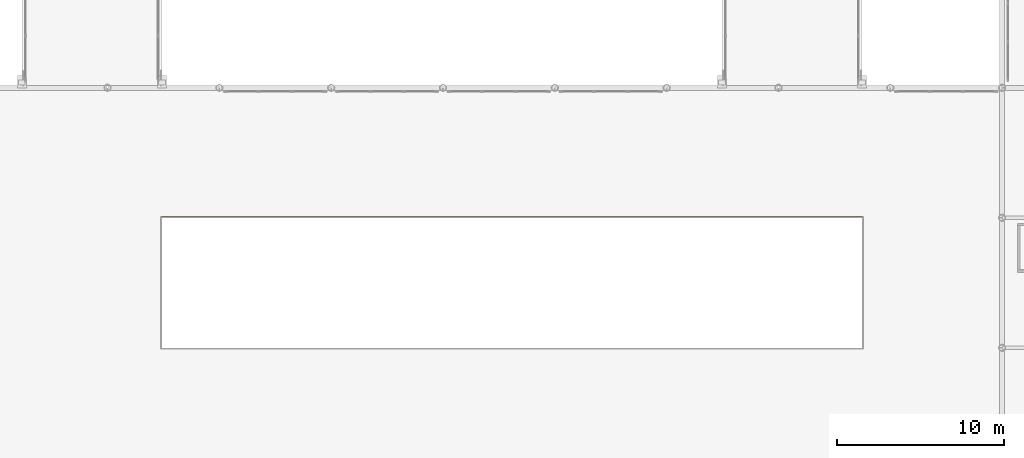
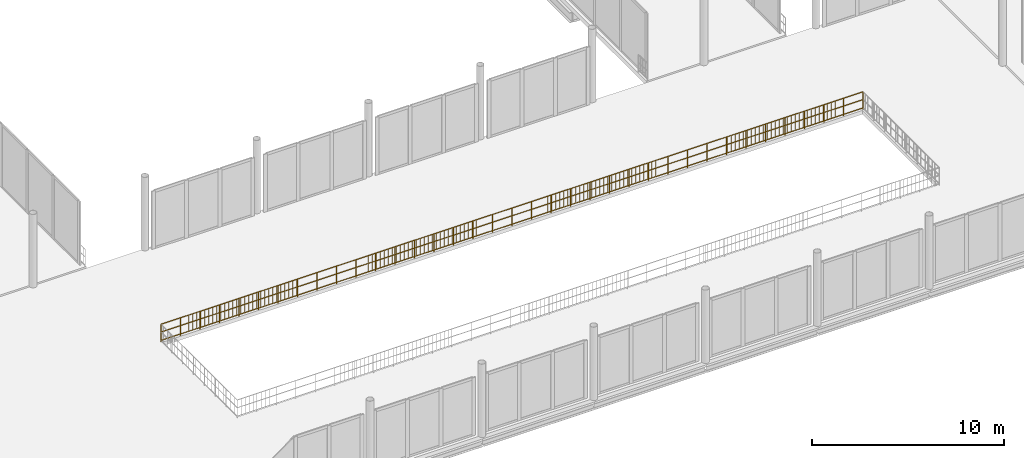
# One storey, part 89 of 98: 1 railing.
"""IFC4 building model written with IfcOpenShell, lengths in metres."""

from ifc_helpers import new_model, si_unit, direction, frame, origin, origin_2d, place, context, subcontext, project, spatial, circle, extrude, material, layer, layer_set, type_object, element, save


model = new_model("IFC4")

# Units and contexts
model_context = context("Model", 3, precision=1e-05, world=origin(), true_north=direction((0.0, 1.0)))
body_context = subcontext(model_context, "Body", "Model", "MODEL_VIEW")
ifc_project = project(units=[si_unit("LENGTHUNIT", "METRE"), si_unit("AREAUNIT", "SQUARE_METRE"), si_unit("VOLUMEUNIT", "CUBIC_METRE"), si_unit("PLANEANGLEUNIT", "RADIAN"), si_unit("MASSUNIT", "GRAM", prefix="KILO")], contexts=[model_context])

# Site, building, storey
site_placement = place(None, origin())
site = spatial("IfcSite", under=ifc_project, at=site_placement, CompositionType="ELEMENT")
building_placement = place(site_placement, origin())
building = spatial("IfcBuilding", under=site, at=building_placement, Name="Nabrawat Pavilion Hospital", CompositionType="ELEMENT")
storey_placement = place(building_placement, frame((0.0, 0.0, 10.199951171875)))
storey = spatial("IfcBuildingStorey", under=building, at=storey_placement, Name="L02", CompositionType="ELEMENT", Elevation=10.199951171875)

# Railing
ifc_material = material(Name="Laminated Toughened Glass and Stainless Steel", Category="steel")
ifc_layer = layer(ifc_material, 0.080078125, Name="Laminated Toughened Glass and Stainless Steel")
ifc_layer_set = layer_set([ifc_layer], Name="Laminated Toughened Glass and Stainless Steel")
railing_type = type_object("IfcRailingType", Name="Main Hall Atrium Void Glass Balustrade 1150", PredefinedType="BALUSTRADE", material=ifc_layer_set)
railing_placement = place(storey_placement, frame((75.5400390625, 31.260009765625, 0.0)))
element("IfcRailing", 1, at=railing_placement, inside=storey, type_object=railing_type, Name="L02 Main Hall Atrium Gallery Balustrade North", PredefinedType="BALUSTRADE", context=body_context, shape_type="SweptSolid", body=[
    extrude(circle(Radius=0.02392578125, at=origin_2d()), frame((0.0, 0.0, 1.1259765625), z_axis=(1.0, 0.0, 0.0), x_axis=(0.0, 1.0, 0.0)), (0.0, 0.0, 1.0), 42.119873046875),
    extrude(circle(Radius=0.02392578125, at=origin_2d()), frame((0.0, 0.0, 0.10009765625), z_axis=(1.0, 0.0, 0.0), x_axis=(0.0, 1.0, 0.0)), (0.0, 0.0, 1.0), 42.119873046875),
    extrude(circle(Radius=0.02392578125, at=origin_2d()), frame((0.0, 0.0, 0.63232421875), z_axis=(1.0, 0.0, 0.0), x_axis=(0.0, 1.0, 0.0)), (0.0, 0.0, 1.0), 42.119873046875),
    extrude(circle(Radius=0.008056640625, at=origin_2d()), frame((0.2392578125, 0.0, 0.10009765625)), (0.0, 0.0, 1.0), 1.001708984375),
    extrude(circle(Radius=0.008056640625, at=origin_2d()), frame((0.478515625, 0.0, 0.10009765625)), (0.0, 0.0, 1.0), 1.001708984375),
    extrude(circle(Radius=0.008056640625, at=origin_2d()), frame((0.718017578125, 0.0, 0.10009765625)), (0.0, 0.0, 1.0), 1.001708984375),
    extrude(circle(Radius=0.008056640625, at=origin_2d()), frame((0.957275390625, 0.0, 0.10009765625)), (0.0, 0.0, 1.0), 1.001708984375),
    extrude(circle(Radius=0.008056640625, at=origin_2d()), frame((1.435791015625, 0.0, 0.10009765625)), (0.0, 0.0, 1.0), 1.001708984375),
    extrude(circle(Radius=0.008056640625, at=origin_2d()), frame((1.67529296875, 0.0, 0.10009765625)), (0.0, 0.0, 1.0), 1.001708984375),
    extrude(circle(Radius=0.008056640625, at=origin_2d()), frame((1.91455078125, 0.0, 0.10009765625)), (0.0, 0.0, 1.0), 1.001708984375),
    extrude(circle(Radius=0.008056640625, at=origin_2d()), frame((2.15380859375, 0.0, 0.10009765625)), (0.0, 0.0, 1.0), 1.001708984375),
    extrude(circle(Radius=0.008056640625, at=origin_2d()), frame((2.39306640625, 0.0, 0.10009765625)), (0.0, 0.0, 1.0), 1.001708984375),
    extrude(circle(Radius=0.008056640625, at=origin_2d()), frame((2.632568359375, 0.0, 0.10009765625)), (0.0, 0.0, 1.0), 1.001708984375),
    extrude(circle(Radius=0.008056640625, at=origin_2d()), frame((2.871826171875, 0.0, 0.10009765625)), (0.0, 0.0, 1.0), 1.001708984375),
    extrude(circle(Radius=0.008056640625, at=origin_2d()), frame((3.111083984375, 0.0, 0.10009765625)), (0.0, 0.0, 1.0), 1.001708984375),
    extrude(circle(Radius=0.008056640625, at=origin_2d()), frame((3.350341796875, 0.0, 0.10009765625)), (0.0, 0.0, 1.0), 1.001708984375),
    extrude(circle(Radius=0.008056640625, at=origin_2d()), frame((3.58984375, 0.0, 0.10009765625)), (0.0, 0.0, 1.0), 1.001708984375),
    extrude(circle(Radius=0.008056640625, at=origin_2d()), frame((3.8291015625, 0.0, 0.10009765625)), (0.0, 0.0, 1.0), 1.001708984375),
    extrude(circle(Radius=0.008056640625, at=origin_2d()), frame((4.068359375, 0.0, 0.10009765625)), (0.0, 0.0, 1.0), 1.001708984375),
    extrude(circle(Radius=0.008056640625, at=origin_2d()), frame((4.3076171875, 0.0, 0.10009765625)), (0.0, 0.0, 1.0), 1.001708984375),
    extrude(circle(Radius=0.008056640625, at=origin_2d()), frame((4.547119140625, 0.0, 0.10009765625)), (0.0, 0.0, 1.0), 1.001708984375),
    extrude(circle(Radius=0.008056640625, at=origin_2d()), frame((4.786376953125, 0.0, 0.10009765625)), (0.0, 0.0, 1.0), 1.001708984375),
    extrude(circle(Radius=0.008056640625, at=origin_2d()), frame((5.025634765625, 0.0, 0.10009765625)), (0.0, 0.0, 1.0), 1.001708984375),
    extrude(circle(Radius=0.008056640625, at=origin_2d()), frame((5.264892578125, 0.0, 0.10009765625)), (0.0, 0.0, 1.0), 1.001708984375),
    extrude(circle(Radius=0.008056640625, at=origin_2d()), frame((5.50439453125, 0.0, 0.10009765625)), (0.0, 0.0, 1.0), 1.001708984375),
    extrude(circle(Radius=0.008056640625, at=origin_2d()), frame((5.74365234375, 0.0, 0.10009765625)), (0.0, 0.0, 1.0), 1.001708984375),
    extrude(circle(Radius=0.008056640625, at=origin_2d()), frame((5.98291015625, 0.0, 0.10009765625)), (0.0, 0.0, 1.0), 1.001708984375),
    extrude(circle(Radius=0.008056640625, at=origin_2d()), frame((6.22216796875, 0.0, 0.10009765625)), (0.0, 0.0, 1.0), 1.001708984375),
    extrude(circle(Radius=0.008056640625, at=origin_2d()), frame((6.461669921875, 0.0, 0.10009765625)), (0.0, 0.0, 1.0), 1.001708984375),
    extrude(circle(Radius=0.008056640625, at=origin_2d()), frame((6.700927734375, 0.0, 0.10009765625)), (0.0, 0.0, 1.0), 1.001708984375),
    extrude(circle(Radius=0.008056640625, at=origin_2d()), frame((6.940185546875, 0.0, 0.10009765625)), (0.0, 0.0, 1.0), 1.001708984375),
    extrude(circle(Radius=0.008056640625, at=origin_2d()), frame((7.179443359375, 0.0, 0.10009765625)), (0.0, 0.0, 1.0), 1.001708984375),
    extrude(circle(Radius=0.008056640625, at=origin_2d()), frame((7.4189453125, 0.0, 0.10009765625)), (0.0, 0.0, 1.0), 1.001708984375),
    extrude(circle(Radius=0.008056640625, at=origin_2d()), frame((7.658203125, 0.0, 0.10009765625)), (0.0, 0.0, 1.0), 1.001708984375),
    extrude(circle(Radius=0.008056640625, at=origin_2d()), frame((7.8974609375, 0.0, 0.10009765625)), (0.0, 0.0, 1.0), 1.001708984375),
    extrude(circle(Radius=0.008056640625, at=origin_2d()), frame((8.13671875, 0.0, 0.10009765625)), (0.0, 0.0, 1.0), 1.001708984375),
    extrude(circle(Radius=0.008056640625, at=origin_2d()), frame((8.376220703125, 0.0, 0.10009765625)), (0.0, 0.0, 1.0), 1.001708984375),
    extrude(circle(Radius=0.008056640625, at=origin_2d()), frame((8.615478515625, 0.0, 0.10009765625)), (0.0, 0.0, 1.0), 1.001708984375),
    extrude(circle(Radius=0.008056640625, at=origin_2d()), frame((8.854736328125, 0.0, 0.10009765625)), (0.0, 0.0, 1.0), 1.001708984375),
    extrude(circle(Radius=0.008056640625, at=origin_2d()), frame((9.093994140625, 0.0, 0.10009765625)), (0.0, 0.0, 1.0), 1.001708984375),
    extrude(circle(Radius=0.008056640625, at=origin_2d()), frame((9.57275390625, 0.0, 0.10009765625)), (0.0, 0.0, 1.0), 1.001708984375),
    extrude(circle(Radius=0.008056640625, at=origin_2d()), frame((9.81201171875, 0.0, 0.10009765625)), (0.0, 0.0, 1.0), 1.001708984375),
    extrude(circle(Radius=0.008056640625, at=origin_2d()), frame((10.05126953125, 0.0, 0.10009765625)), (0.0, 0.0, 1.0), 1.001708984375),
    extrude(circle(Radius=0.008056640625, at=origin_2d()), frame((10.290771484375, 0.0, 0.10009765625)), (0.0, 0.0, 1.0), 1.001708984375),
    extrude(circle(Radius=0.008056640625, at=origin_2d()), frame((10.769287109375, 0.0, 0.10009765625)), (0.0, 0.0, 1.0), 1.001708984375),
    extrude(circle(Radius=0.008056640625, at=origin_2d()), frame((11.008544921875, 0.0, 0.10009765625)), (0.0, 0.0, 1.0), 1.001708984375),
    extrude(circle(Radius=0.008056640625, at=origin_2d()), frame((11.247802734375, 0.0, 0.10009765625)), (0.0, 0.0, 1.0), 1.001708984375),
    extrude(circle(Radius=0.008056640625, at=origin_2d()), frame((11.4873046875, 0.0, 0.10009765625)), (0.0, 0.0, 1.0), 1.001708984375),
    extrude(circle(Radius=0.008056640625, at=origin_2d()), frame((11.9658203125, 0.0, 0.10009765625)), (0.0, 0.0, 1.0), 1.001708984375),
    extrude(circle(Radius=0.008056640625, at=origin_2d()), frame((12.205078125, 0.0, 0.10009765625)), (0.0, 0.0, 1.0), 1.001708984375),
    extrude(circle(Radius=0.008056640625, at=origin_2d()), frame((12.444580078125, 0.0, 0.10009765625)), (0.0, 0.0, 1.0), 1.001708984375),
    extrude(circle(Radius=0.008056640625, at=origin_2d()), frame((12.683837890625, 0.0, 0.10009765625)), (0.0, 0.0, 1.0), 1.001708984375),
    extrude(circle(Radius=0.008056640625, at=origin_2d()), frame((12.923095703125, 0.0, 0.10009765625)), (0.0, 0.0, 1.0), 1.001708984375),
    extrude(circle(Radius=0.008056640625, at=origin_2d()), frame((13.162353515625, 0.0, 0.10009765625)), (0.0, 0.0, 1.0), 1.001708984375),
    extrude(circle(Radius=0.008056640625, at=origin_2d()), frame((13.40185546875, 0.0, 0.10009765625)), (0.0, 0.0, 1.0), 1.001708984375),
    extrude(circle(Radius=0.008056640625, at=origin_2d()), frame((13.64111328125, 0.0, 0.10009765625)), (0.0, 0.0, 1.0), 1.001708984375),
    extrude(circle(Radius=0.008056640625, at=origin_2d()), frame((13.88037109375, 0.0, 0.10009765625)), (0.0, 0.0, 1.0), 1.001708984375),
    extrude(circle(Radius=0.008056640625, at=origin_2d()), frame((14.11962890625, 0.0, 0.10009765625)), (0.0, 0.0, 1.0), 1.001708984375),
    extrude(circle(Radius=0.008056640625, at=origin_2d()), frame((14.359130859375, 0.0, 0.10009765625)), (0.0, 0.0, 1.0), 1.001708984375),
    extrude(circle(Radius=0.008056640625, at=origin_2d()), frame((14.598388671875, 0.0, 0.10009765625)), (0.0, 0.0, 1.0), 1.001708984375),
    extrude(circle(Radius=0.008056640625, at=origin_2d()), frame((14.837646484375, 0.0, 0.10009765625)), (0.0, 0.0, 1.0), 1.001708984375),
    extrude(circle(Radius=0.008056640625, at=origin_2d()), frame((15.076904296875, 0.0, 0.10009765625)), (0.0, 0.0, 1.0), 1.001708984375),
    extrude(circle(Radius=0.008056640625, at=origin_2d()), frame((15.31640625, 0.0, 0.10009765625)), (0.0, 0.0, 1.0), 1.001708984375),
    extrude(circle(Radius=0.008056640625, at=origin_2d()), frame((15.5556640625, 0.0, 0.10009765625)), (0.0, 0.0, 1.0), 1.001708984375),
    extrude(circle(Radius=0.008056640625, at=origin_2d()), frame((15.794921875, 0.0, 0.10009765625)), (0.0, 0.0, 1.0), 1.001708984375),
    extrude(circle(Radius=0.008056640625, at=origin_2d()), frame((16.0341796875, 0.0, 0.10009765625)), (0.0, 0.0, 1.0), 1.001708984375),
    extrude(circle(Radius=0.008056640625, at=origin_2d()), frame((16.273681640625, 0.0, 0.10009765625)), (0.0, 0.0, 1.0), 1.001708984375),
    extrude(circle(Radius=0.008056640625, at=origin_2d()), frame((16.512939453125, 0.0, 0.10009765625)), (0.0, 0.0, 1.0), 1.001708984375),
    extrude(circle(Radius=0.008056640625, at=origin_2d()), frame((16.752197265625, 0.0, 0.10009765625)), (0.0, 0.0, 1.0), 1.001708984375),
    extrude(circle(Radius=0.008056640625, at=origin_2d()), frame((16.991455078125, 0.0, 0.10009765625)), (0.0, 0.0, 1.0), 1.001708984375),
    extrude(circle(Radius=0.008056640625, at=origin_2d()), frame((17.23095703125, 0.0, 0.10009765625)), (0.0, 0.0, 1.0), 1.001708984375),
    extrude(circle(Radius=0.008056640625, at=origin_2d()), frame((17.47021484375, 0.0, 0.10009765625)), (0.0, 0.0, 1.0), 1.001708984375),
    extrude(circle(Radius=0.008056640625, at=origin_2d()), frame((17.70947265625, 0.0, 0.10009765625)), (0.0, 0.0, 1.0), 1.001708984375),
    extrude(circle(Radius=0.008056640625, at=origin_2d()), frame((17.94873046875, 0.0, 0.10009765625)), (0.0, 0.0, 1.0), 1.001708984375),
    extrude(circle(Radius=0.008056640625, at=origin_2d()), frame((18.188232421875, 0.0, 0.10009765625)), (0.0, 0.0, 1.0), 1.001708984375),
    extrude(circle(Radius=0.008056640625, at=origin_2d()), frame((18.427490234375, 0.0, 0.10009765625)), (0.0, 0.0, 1.0), 1.001708984375),
    extrude(circle(Radius=0.008056640625, at=origin_2d()), frame((18.666748046875, 0.0, 0.10009765625)), (0.0, 0.0, 1.0), 1.001708984375),
    extrude(circle(Radius=0.008056640625, at=origin_2d()), frame((18.906005859375, 0.0, 0.10009765625)), (0.0, 0.0, 1.0), 1.001708984375),
    extrude(circle(Radius=0.008056640625, at=origin_2d()), frame((19.1455078125, 0.0, 0.10009765625)), (0.0, 0.0, 1.0), 1.001708984375),
    extrude(circle(Radius=0.008056640625, at=origin_2d()), frame((19.384765625, 0.0, 0.10009765625)), (0.0, 0.0, 1.0), 1.001708984375),
    extrude(circle(Radius=0.008056640625, at=origin_2d()), frame((19.6240234375, 0.0, 0.10009765625)), (0.0, 0.0, 1.0), 1.001708984375),
    extrude(circle(Radius=0.008056640625, at=origin_2d()), frame((20.102783203125, 0.0, 0.10009765625)), (0.0, 0.0, 1.0), 1.001708984375),
    extrude(circle(Radius=0.008056640625, at=origin_2d()), frame((20.342041015625, 0.0, 0.10009765625)), (0.0, 0.0, 1.0), 1.001708984375),
    extrude(circle(Radius=0.008056640625, at=origin_2d()), frame((20.581298828125, 0.0, 0.10009765625)), (0.0, 0.0, 1.0), 1.001708984375),
    extrude(circle(Radius=0.008056640625, at=origin_2d()), frame((20.820556640625, 0.0, 0.10009765625)), (0.0, 0.0, 1.0), 1.001708984375),
    extrude(circle(Radius=0.008056640625, at=origin_2d()), frame((21.29931640625, 0.0, 0.10009765625)), (0.0, 0.0, 1.0), 1.001708984375),
    extrude(circle(Radius=0.008056640625, at=origin_2d()), frame((21.53857421875, 0.0, 0.10009765625)), (0.0, 0.0, 1.0), 1.001708984375),
    extrude(circle(Radius=0.008056640625, at=origin_2d()), frame((21.77783203125, 0.0, 0.10009765625)), (0.0, 0.0, 1.0), 1.001708984375),
    extrude(circle(Radius=0.008056640625, at=origin_2d()), frame((22.01708984375, 0.0, 0.10009765625)), (0.0, 0.0, 1.0), 1.001708984375),
    extrude(circle(Radius=0.008056640625, at=origin_2d()), frame((22.495849609375, 0.0, 0.10009765625)), (0.0, 0.0, 1.0), 1.001708984375),
    extrude(circle(Radius=0.008056640625, at=origin_2d()), frame((22.735107421875, 0.0, 0.10009765625)), (0.0, 0.0, 1.0), 1.001708984375),
    extrude(circle(Radius=0.008056640625, at=origin_2d()), frame((22.974365234375, 0.0, 0.10009765625)), (0.0, 0.0, 1.0), 1.001708984375),
    extrude(circle(Radius=0.008056640625, at=origin_2d()), frame((23.2138671875, 0.0, 0.10009765625)), (0.0, 0.0, 1.0), 1.001708984375),
    extrude(circle(Radius=0.008056640625, at=origin_2d()), frame((23.453125, 0.0, 0.10009765625)), (0.0, 0.0, 1.0), 1.001708984375),
    extrude(circle(Radius=0.008056640625, at=origin_2d()), frame((23.6923828125, 0.0, 0.10009765625)), (0.0, 0.0, 1.0), 1.001708984375),
    extrude(circle(Radius=0.008056640625, at=origin_2d()), frame((23.931640625, 0.0, 0.10009765625)), (0.0, 0.0, 1.0), 1.001708984375),
    extrude(circle(Radius=0.008056640625, at=origin_2d()), frame((24.171142578125, 0.0, 0.10009765625)), (0.0, 0.0, 1.0), 1.001708984375),
    extrude(circle(Radius=0.008056640625, at=origin_2d()), frame((24.410400390625, 0.0, 0.10009765625)), (0.0, 0.0, 1.0), 1.001708984375),
    extrude(circle(Radius=0.008056640625, at=origin_2d()), frame((24.649658203125, 0.0, 0.10009765625)), (0.0, 0.0, 1.0), 1.001708984375),
    extrude(circle(Radius=0.008056640625, at=origin_2d()), frame((24.888916015625, 0.0, 0.10009765625)), (0.0, 0.0, 1.0), 1.001708984375),
    extrude(circle(Radius=0.008056640625, at=origin_2d()), frame((25.12841796875, 0.0, 0.10009765625)), (0.0, 0.0, 1.0), 1.001708984375),
    extrude(circle(Radius=0.008056640625, at=origin_2d()), frame((25.36767578125, 0.0, 0.10009765625)), (0.0, 0.0, 1.0), 1.001708984375),
    extrude(circle(Radius=0.008056640625, at=origin_2d()), frame((25.60693359375, 0.0, 0.10009765625)), (0.0, 0.0, 1.0), 1.001708984375),
    extrude(circle(Radius=0.008056640625, at=origin_2d()), frame((25.84619140625, 0.0, 0.10009765625)), (0.0, 0.0, 1.0), 1.001708984375),
    extrude(circle(Radius=0.008056640625, at=origin_2d()), frame((26.085693359375, 0.0, 0.10009765625)), (0.0, 0.0, 1.0), 1.001708984375),
    extrude(circle(Radius=0.008056640625, at=origin_2d()), frame((26.324951171875, 0.0, 0.10009765625)), (0.0, 0.0, 1.0), 1.001708984375),
    extrude(circle(Radius=0.008056640625, at=origin_2d()), frame((26.564208984375, 0.0, 0.10009765625)), (0.0, 0.0, 1.0), 1.001708984375),
    extrude(circle(Radius=0.008056640625, at=origin_2d()), frame((26.803466796875, 0.0, 0.10009765625)), (0.0, 0.0, 1.0), 1.001708984375),
    extrude(circle(Radius=0.008056640625, at=origin_2d()), frame((27.04296875, 0.0, 0.10009765625)), (0.0, 0.0, 1.0), 1.001708984375),
    extrude(circle(Radius=0.008056640625, at=origin_2d()), frame((27.2822265625, 0.0, 0.10009765625)), (0.0, 0.0, 1.0), 1.001708984375),
    extrude(circle(Radius=0.008056640625, at=origin_2d()), frame((27.521484375, 0.0, 0.10009765625)), (0.0, 0.0, 1.0), 1.001708984375),
    extrude(circle(Radius=0.008056640625, at=origin_2d()), frame((27.7607421875, 0.0, 0.10009765625)), (0.0, 0.0, 1.0), 1.001708984375),
    extrude(circle(Radius=0.008056640625, at=origin_2d()), frame((28.000244140625, 0.0, 0.10009765625)), (0.0, 0.0, 1.0), 1.001708984375),
    extrude(circle(Radius=0.008056640625, at=origin_2d()), frame((28.239501953125, 0.0, 0.10009765625)), (0.0, 0.0, 1.0), 1.001708984375),
    extrude(circle(Radius=0.008056640625, at=origin_2d()), frame((28.478759765625, 0.0, 0.10009765625)), (0.0, 0.0, 1.0), 1.001708984375),
    extrude(circle(Radius=0.008056640625, at=origin_2d()), frame((28.718017578125, 0.0, 0.10009765625)), (0.0, 0.0, 1.0), 1.001708984375),
    extrude(circle(Radius=0.008056640625, at=origin_2d()), frame((28.95751953125, 0.0, 0.10009765625)), (0.0, 0.0, 1.0), 1.001708984375),
    extrude(circle(Radius=0.008056640625, at=origin_2d()), frame((29.19677734375, 0.0, 0.10009765625)), (0.0, 0.0, 1.0), 1.001708984375),
    extrude(circle(Radius=0.008056640625, at=origin_2d()), frame((29.43603515625, 0.0, 0.10009765625)), (0.0, 0.0, 1.0), 1.001708984375),
    extrude(circle(Radius=0.008056640625, at=origin_2d()), frame((29.67529296875, 0.0, 0.10009765625)), (0.0, 0.0, 1.0), 1.001708984375),
    extrude(circle(Radius=0.008056640625, at=origin_2d()), frame((29.914794921875, 0.0, 0.10009765625)), (0.0, 0.0, 1.0), 1.001708984375),
    extrude(circle(Radius=0.008056640625, at=origin_2d()), frame((30.154052734375, 0.0, 0.10009765625)), (0.0, 0.0, 1.0), 1.001708984375),
    extrude(circle(Radius=0.008056640625, at=origin_2d()), frame((30.632568359375, 0.0, 0.10009765625)), (0.0, 0.0, 1.0), 1.001708984375),
    extrude(circle(Radius=0.008056640625, at=origin_2d()), frame((30.8720703125, 0.0, 0.10009765625)), (0.0, 0.0, 1.0), 1.001708984375),
    extrude(circle(Radius=0.008056640625, at=origin_2d()), frame((31.111328125, 0.0, 0.10009765625)), (0.0, 0.0, 1.0), 1.001708984375),
    extrude(circle(Radius=0.008056640625, at=origin_2d()), frame((31.3505859375, 0.0, 0.10009765625)), (0.0, 0.0, 1.0), 1.001708984375),
    extrude(circle(Radius=0.008056640625, at=origin_2d()), frame((31.8291015625, 0.0, 0.10009765625)), (0.0, 0.0, 1.0), 1.001708984375),
    extrude(circle(Radius=0.008056640625, at=origin_2d()), frame((32.068603515625, 0.0, 0.10009765625)), (0.0, 0.0, 1.0), 1.001708984375),
    extrude(circle(Radius=0.008056640625, at=origin_2d()), frame((32.307861328125, 0.0, 0.10009765625)), (0.0, 0.0, 1.0), 1.001708984375),
    extrude(circle(Radius=0.008056640625, at=origin_2d()), frame((32.547119140625, 0.0, 0.10009765625)), (0.0, 0.0, 1.0), 1.001708984375),
    extrude(circle(Radius=0.008056640625, at=origin_2d()), frame((33.02587890625, 0.0, 0.10009765625)), (0.0, 0.0, 1.0), 1.001708984375),
    extrude(circle(Radius=0.008056640625, at=origin_2d()), frame((33.26513671875, 0.0, 0.10009765625)), (0.0, 0.0, 1.0), 1.001708984375),
    extrude(circle(Radius=0.008056640625, at=origin_2d()), frame((33.50439453125, 0.0, 0.10009765625)), (0.0, 0.0, 1.0), 1.001708984375),
    extrude(circle(Radius=0.008056640625, at=origin_2d()), frame((33.74365234375, 0.0, 0.10009765625)), (0.0, 0.0, 1.0), 1.001708984375),
    extrude(circle(Radius=0.008056640625, at=origin_2d()), frame((33.983154296875, 0.0, 0.10009765625)), (0.0, 0.0, 1.0), 1.001708984375),
    extrude(circle(Radius=0.008056640625, at=origin_2d()), frame((34.222412109375, 0.0, 0.10009765625)), (0.0, 0.0, 1.0), 1.001708984375),
    extrude(circle(Radius=0.008056640625, at=origin_2d()), frame((34.461669921875, 0.0, 0.10009765625)), (0.0, 0.0, 1.0), 1.001708984375),
    extrude(circle(Radius=0.008056640625, at=origin_2d()), frame((34.700927734375, 0.0, 0.10009765625)), (0.0, 0.0, 1.0), 1.001708984375),
    extrude(circle(Radius=0.008056640625, at=origin_2d()), frame((34.9404296875, 0.0, 0.10009765625)), (0.0, 0.0, 1.0), 1.001708984375),
    extrude(circle(Radius=0.008056640625, at=origin_2d()), frame((35.1796875, 0.0, 0.10009765625)), (0.0, 0.0, 1.0), 1.001708984375),
    extrude(circle(Radius=0.008056640625, at=origin_2d()), frame((35.4189453125, 0.0, 0.10009765625)), (0.0, 0.0, 1.0), 1.001708984375),
    extrude(circle(Radius=0.008056640625, at=origin_2d()), frame((35.658203125, 0.0, 0.10009765625)), (0.0, 0.0, 1.0), 1.001708984375),
    extrude(circle(Radius=0.008056640625, at=origin_2d()), frame((35.897705078125, 0.0, 0.10009765625)), (0.0, 0.0, 1.0), 1.001708984375),
    extrude(circle(Radius=0.008056640625, at=origin_2d()), frame((36.136962890625, 0.0, 0.10009765625)), (0.0, 0.0, 1.0), 1.001708984375),
    extrude(circle(Radius=0.008056640625, at=origin_2d()), frame((36.376220703125, 0.0, 0.10009765625)), (0.0, 0.0, 1.0), 1.001708984375),
    extrude(circle(Radius=0.008056640625, at=origin_2d()), frame((36.615478515625, 0.0, 0.10009765625)), (0.0, 0.0, 1.0), 1.001708984375),
    extrude(circle(Radius=0.008056640625, at=origin_2d()), frame((36.85498046875, 0.0, 0.10009765625)), (0.0, 0.0, 1.0), 1.001708984375),
    extrude(circle(Radius=0.008056640625, at=origin_2d()), frame((37.09423828125, 0.0, 0.10009765625)), (0.0, 0.0, 1.0), 1.001708984375),
    extrude(circle(Radius=0.008056640625, at=origin_2d()), frame((37.33349609375, 0.0, 0.10009765625)), (0.0, 0.0, 1.0), 1.001708984375),
    extrude(circle(Radius=0.008056640625, at=origin_2d()), frame((37.57275390625, 0.0, 0.10009765625)), (0.0, 0.0, 1.0), 1.001708984375),
    extrude(circle(Radius=0.008056640625, at=origin_2d()), frame((37.812255859375, 0.0, 0.10009765625)), (0.0, 0.0, 1.0), 1.001708984375),
    extrude(circle(Radius=0.008056640625, at=origin_2d()), frame((38.051513671875, 0.0, 0.10009765625)), (0.0, 0.0, 1.0), 1.001708984375),
    extrude(circle(Radius=0.008056640625, at=origin_2d()), frame((38.290771484375, 0.0, 0.10009765625)), (0.0, 0.0, 1.0), 1.001708984375),
    extrude(circle(Radius=0.008056640625, at=origin_2d()), frame((38.530029296875, 0.0, 0.10009765625)), (0.0, 0.0, 1.0), 1.001708984375),
    extrude(circle(Radius=0.008056640625, at=origin_2d()), frame((38.76953125, 0.0, 0.10009765625)), (0.0, 0.0, 1.0), 1.001708984375),
    extrude(circle(Radius=0.008056640625, at=origin_2d()), frame((39.0087890625, 0.0, 0.10009765625)), (0.0, 0.0, 1.0), 1.001708984375),
    extrude(circle(Radius=0.008056640625, at=origin_2d()), frame((39.248046875, 0.0, 0.10009765625)), (0.0, 0.0, 1.0), 1.001708984375),
    extrude(circle(Radius=0.008056640625, at=origin_2d()), frame((39.4873046875, 0.0, 0.10009765625)), (0.0, 0.0, 1.0), 1.001708984375),
    extrude(circle(Radius=0.008056640625, at=origin_2d()), frame((39.726806640625, 0.0, 0.10009765625)), (0.0, 0.0, 1.0), 1.001708984375),
    extrude(circle(Radius=0.008056640625, at=origin_2d()), frame((39.966064453125, 0.0, 0.10009765625)), (0.0, 0.0, 1.0), 1.001708984375),
    extrude(circle(Radius=0.008056640625, at=origin_2d()), frame((40.205322265625, 0.0, 0.10009765625)), (0.0, 0.0, 1.0), 1.001708984375),
    extrude(circle(Radius=0.008056640625, at=origin_2d()), frame((40.444580078125, 0.0, 0.10009765625)), (0.0, 0.0, 1.0), 1.001708984375),
    extrude(circle(Radius=0.008056640625, at=origin_2d()), frame((40.68408203125, 0.0, 0.10009765625)), (0.0, 0.0, 1.0), 1.001708984375),
    extrude(circle(Radius=0.008056640625, at=origin_2d()), frame((41.16259765625, 0.0, 0.10009765625)), (0.0, 0.0, 1.0), 1.001708984375),
    extrude(circle(Radius=0.008056640625, at=origin_2d()), frame((41.40185546875, 0.0, 0.10009765625)), (0.0, 0.0, 1.0), 1.001708984375),
    extrude(circle(Radius=0.008056640625, at=origin_2d()), frame((41.641357421875, 0.0, 0.10009765625)), (0.0, 0.0, 1.0), 1.001708984375),
    extrude(circle(Radius=0.008056640625, at=origin_2d()), frame((41.880615234375, 0.0, 0.10009765625)), (0.0, 0.0, 1.0), 1.001708984375),
    extrude(circle(Radius=0.02099609375, at=origin_2d()), origin(), (0.0, 0.0, 1.0), 1.101806640625),
    extrude(circle(Radius=0.02099609375, at=origin_2d()), frame((1.169921875, 0.0, 0.0)), (0.0, 0.0, 1.0), 1.101806640625),
    extrude(circle(Radius=0.02099609375, at=origin_2d()), frame((2.340087890625, 0.0, 0.0)), (0.0, 0.0, 1.0), 1.101806640625),
    extrude(circle(Radius=0.02099609375, at=origin_2d()), frame((3.510009765625, 0.0, 0.0)), (0.0, 0.0, 1.0), 1.101806640625),
    extrude(circle(Radius=0.02099609375, at=origin_2d()), frame((4.679931640625, 0.0, 0.0)), (0.0, 0.0, 1.0), 1.101806640625),
    extrude(circle(Radius=0.02099609375, at=origin_2d()), frame((5.85009765625, 0.0, 0.0)), (0.0, 0.0, 1.0), 1.101806640625),
    extrude(circle(Radius=0.02099609375, at=origin_2d()), frame((7.02001953125, 0.0, 0.0)), (0.0, 0.0, 1.0), 1.101806640625),
    extrude(circle(Radius=0.02099609375, at=origin_2d()), frame((8.18994140625, 0.0, 0.0)), (0.0, 0.0, 1.0), 1.101806640625),
    extrude(circle(Radius=0.02099609375, at=origin_2d()), frame((9.35986328125, 0.0, 0.0)), (0.0, 0.0, 1.0), 1.101806640625),
    extrude(circle(Radius=0.02099609375, at=origin_2d()), frame((10.530029296875, 0.0, 0.0)), (0.0, 0.0, 1.0), 1.101806640625),
    extrude(circle(Radius=0.02099609375, at=origin_2d()), frame((11.699951171875, 0.0, 0.0)), (0.0, 0.0, 1.0), 1.101806640625),
    extrude(circle(Radius=0.02099609375, at=origin_2d()), frame((12.869873046875, 0.0, 0.0)), (0.0, 0.0, 1.0), 1.101806640625),
    extrude(circle(Radius=0.02099609375, at=origin_2d()), frame((14.0400390625, 0.0, 0.0)), (0.0, 0.0, 1.0), 1.101806640625),
    extrude(circle(Radius=0.02099609375, at=origin_2d()), frame((15.2099609375, 0.0, 0.0)), (0.0, 0.0, 1.0), 1.101806640625),
    extrude(circle(Radius=0.02099609375, at=origin_2d()), frame((16.3798828125, 0.0, 0.0)), (0.0, 0.0, 1.0), 1.101806640625),
    extrude(circle(Radius=0.02099609375, at=origin_2d()), frame((17.550048828125, 0.0, 0.0)), (0.0, 0.0, 1.0), 1.101806640625),
    extrude(circle(Radius=0.02099609375, at=origin_2d()), frame((18.719970703125, 0.0, 0.0)), (0.0, 0.0, 1.0), 1.101806640625),
    extrude(circle(Radius=0.02099609375, at=origin_2d()), frame((19.889892578125, 0.0, 0.0)), (0.0, 0.0, 1.0), 1.101806640625),
    extrude(circle(Radius=0.02099609375, at=origin_2d()), frame((21.06005859375, 0.0, 0.0)), (0.0, 0.0, 1.0), 1.101806640625),
    extrude(circle(Radius=0.02099609375, at=origin_2d()), frame((22.22998046875, 0.0, 0.0)), (0.0, 0.0, 1.0), 1.101806640625),
    extrude(circle(Radius=0.02099609375, at=origin_2d()), frame((23.39990234375, 0.0, 0.0)), (0.0, 0.0, 1.0), 1.101806640625),
    extrude(circle(Radius=0.02099609375, at=origin_2d()), frame((24.56982421875, 0.0, 0.0)), (0.0, 0.0, 1.0), 1.101806640625),
    extrude(circle(Radius=0.02099609375, at=origin_2d()), frame((25.739990234375, 0.0, 0.0)), (0.0, 0.0, 1.0), 1.101806640625),
    extrude(circle(Radius=0.02099609375, at=origin_2d()), frame((26.909912109375, 0.0, 0.0)), (0.0, 0.0, 1.0), 1.101806640625),
    extrude(circle(Radius=0.02099609375, at=origin_2d()), frame((28.079833984375, 0.0, 0.0)), (0.0, 0.0, 1.0), 1.101806640625),
    extrude(circle(Radius=0.02099609375, at=origin_2d()), frame((29.25, 0.0, 0.0)), (0.0, 0.0, 1.0), 1.101806640625),
    extrude(circle(Radius=0.02099609375, at=origin_2d()), frame((30.419921875, 0.0, 0.0)), (0.0, 0.0, 1.0), 1.101806640625),
    extrude(circle(Radius=0.02099609375, at=origin_2d()), frame((31.58984375, 0.0, 0.0)), (0.0, 0.0, 1.0), 1.101806640625),
    extrude(circle(Radius=0.02099609375, at=origin_2d()), frame((32.760009765625, 0.0, 0.0)), (0.0, 0.0, 1.0), 1.101806640625),
    extrude(circle(Radius=0.02099609375, at=origin_2d()), frame((33.929931640625, 0.0, 0.0)), (0.0, 0.0, 1.0), 1.101806640625),
    extrude(circle(Radius=0.02099609375, at=origin_2d()), frame((35.099853515625, 0.0, 0.0)), (0.0, 0.0, 1.0), 1.101806640625),
    extrude(circle(Radius=0.02099609375, at=origin_2d()), frame((36.269775390625, 0.0, 0.0)), (0.0, 0.0, 1.0), 1.101806640625),
    extrude(circle(Radius=0.02099609375, at=origin_2d()), frame((37.43994140625, 0.0, 0.0)), (0.0, 0.0, 1.0), 1.101806640625),
    extrude(circle(Radius=0.02099609375, at=origin_2d()), frame((38.60986328125, 0.0, 0.0)), (0.0, 0.0, 1.0), 1.101806640625),
    extrude(circle(Radius=0.02099609375, at=origin_2d()), frame((39.77978515625, 0.0, 0.0)), (0.0, 0.0, 1.0), 1.101806640625),
    extrude(circle(Radius=0.02099609375, at=origin_2d()), frame((40.949951171875, 0.0, 0.0)), (0.0, 0.0, 1.0), 1.101806640625),
    extrude(circle(Radius=0.02099609375, at=origin_2d()), frame((42.119873046875, 0.0, 0.0)), (0.0, 0.0, 1.0), 1.101806640625),
])

save(model, "model.ifc")
